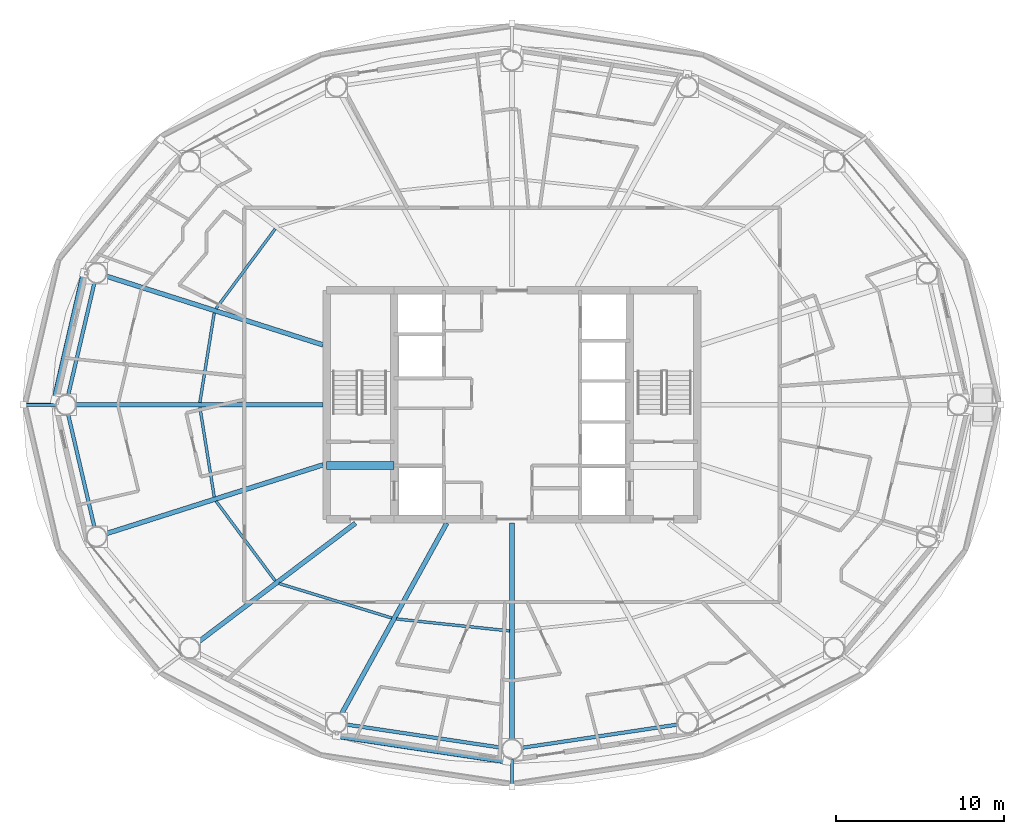
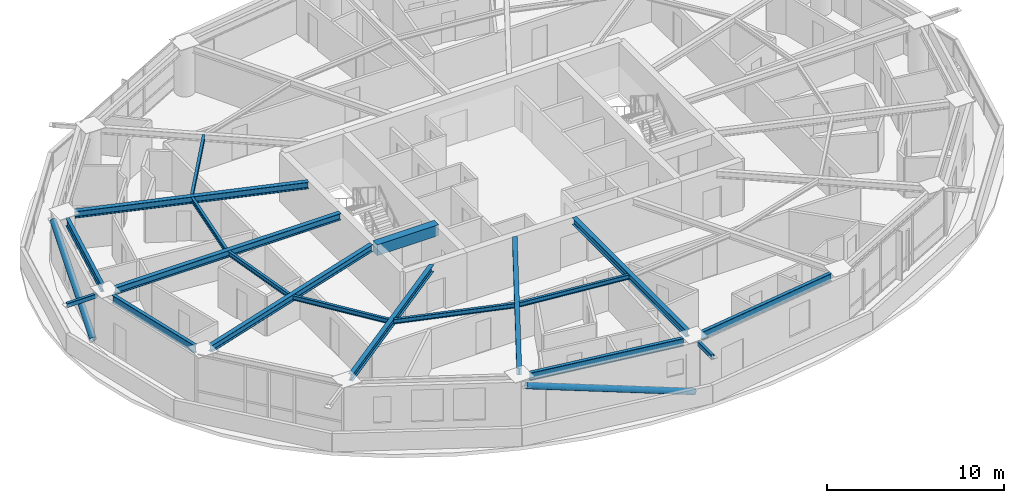
# One storey, part 4 of 27: 17 beams, 4 members.
"""IFC4 building model written with IfcOpenShell, lengths in metres."""

from ifc_helpers import new_model, si_unit, direction, frame, origin, origin_2d, place, context, subcontext, project, spatial, rectangle, hollow_rectangle, hollow_circle, i_section, extrude, material, material_profile, profile_set, type_object, element, save


model = new_model("IFC4")

# Units and contexts
model_context = context("Model", 3, precision=1e-05, world=origin(), true_north=direction((0.0, 1.0)))
body_context = subcontext(model_context, "Body", "Model", "MODEL_VIEW")
ifc_project = project(units=[si_unit("LENGTHUNIT", "METRE"), si_unit("AREAUNIT", "SQUARE_METRE"), si_unit("VOLUMEUNIT", "CUBIC_METRE"), si_unit("PLANEANGLEUNIT", "RADIAN"), si_unit("MASSUNIT", "GRAM", prefix="KILO")], contexts=[model_context])

# Site, building, storey
site_placement = place(None, origin())
site = spatial("IfcSite", under=ifc_project, at=site_placement, CompositionType="ELEMENT")
building_placement = place(site_placement, origin())
building = spatial("IfcBuilding", under=site, at=building_placement, Name="Sarneth Arch Tower", CompositionType="ELEMENT")
storey_placement = place(building_placement, frame((0.0, 0.0, 150.60009765625)))
storey = spatial("IfcBuildingStorey", under=building, at=storey_placement, Name="L37", CompositionType="ELEMENT", Elevation=150.60009765625)

# Beams
ifc_material_1 = material(Name="Steel S355", Category="steel")
ifc_material_profile_1 = material_profile(ifc_material_1, i_section(OverallWidth=0.1669921875, OverallDepth=0.31689453125, WebThickness=0.007568359375, FlangeThickness=0.01318359375, FilletRadius=0.012939453125, at=origin_2d()), Name="W310x52")
ifc_profile_set_1 = profile_set([ifc_material_profile_1], Name="Steel S355")
beam_type_1 = type_object("IfcBeamType", Name="BM-JOIST-310B", PredefinedType="JOIST", material=ifc_profile_set_1)
beam_1_placement = place(storey_placement, frame((33.941162109375, 52.449462890625, 3.221435546875), z_axis=(-0.596190586674, -0.802842938788, 0.0), x_axis=(0.802842938788, -0.596190586674, 0.0)))
element("IfcBeam", 1, at=beam_1_placement, inside=storey, type_object=beam_type_1, Name="L37 Secondary floor joist 07", PredefinedType="JOIST", context=body_context, shape_type="SweptSolid", body=[
    extrude(i_section(OverallWidth=0.1669921875, OverallDepth=0.31689453125, WebThickness=0.007568359375, FlangeThickness=0.01318359375, FilletRadius=0.012939453125, at=origin_2d()), origin(), (0.0, 0.0, 1.0), 5.896484375),
])
for number, where, z_axis, x_axis, name in (
    (2, (30.3203125, 47.46484375, 3.221435546875), (-0.158348792374, -0.987383238643, 0.0), (0.987383238643, -0.158348792374, 0.0), "L37 Secondary floor joist 08"),
    (3, (29.466064453125, 41.86181640625, 3.221435546875), (0.158348792374, -0.987383238643, 0.0), (0.987383238643, 0.158348792374, 0.0), "L37 Secondary floor joist 09"),
):
    element("IfcBeam", number, at=place(storey_placement, frame(where, z_axis=z_axis, x_axis=x_axis)), inside=storey, type_object=beam_type_1, Name=name, PredefinedType="JOIST", context=body_context, shape_type="SweptSolid", body=[
        extrude(i_section(OverallWidth=0.1669921875, OverallDepth=0.31689453125, WebThickness=0.007568359375, FlangeThickness=0.01318359375, FilletRadius=0.012939453125, at=origin_2d()), origin(), (0.0, 0.0, 1.0), 5.394775390625),
    ])
beam_2_placement = place(storey_placement, frame((30.42578125, 36.284423828125, 3.221435546875), z_axis=(0.596190586674, -0.802842938788, 0.0), x_axis=(0.802842938788, 0.596190586674, 0.0)))
element("IfcBeam", 4, at=beam_2_placement, inside=storey, type_object=beam_type_1, Name="L37 Secondary floor joist 10", PredefinedType="JOIST", context=body_context, shape_type="SweptSolid", body=[
    extrude(i_section(OverallWidth=0.1669921875, OverallDepth=0.31689453125, WebThickness=0.007568359375, FlangeThickness=0.01318359375, FilletRadius=0.012939453125, at=origin_2d()), origin(), (0.0, 0.0, 1.0), 5.896484375),
])
beam_3_placement = place(storey_placement, frame((34.15869140625, 31.397216796875, 3.221435546875), z_axis=(0.956178669891, -0.292783796076, 0.0), x_axis=(0.292783796076, 0.956178669891, 0.0)))
element("IfcBeam", 5, at=beam_3_placement, inside=storey, type_object=beam_type_1, Name="L37 Secondary floor joist 11", PredefinedType="JOIST", context=body_context, shape_type="SweptSolid", body=[
    extrude(i_section(OverallWidth=0.1669921875, OverallDepth=0.31689453125, WebThickness=0.007568359375, FlangeThickness=0.01318359375, FilletRadius=0.012939453125, at=origin_2d()), origin(), (0.0, 0.0, 1.0), 7.010986328125),
])
beam_4_placement = place(storey_placement, frame((41.1357421875, 29.288818359375, 3.221435546875), z_axis=(0.994447340543, -0.105235387994, 0.0), x_axis=(0.105235387994, 0.994447340543, 0.0)))
element("IfcBeam", 6, at=beam_4_placement, inside=storey, type_object=beam_type_1, Name="L37 Secondary floor joist 12", PredefinedType="JOIST", context=body_context, shape_type="SweptSolid", body=[
    extrude(i_section(OverallWidth=0.1669921875, OverallDepth=0.31689453125, WebThickness=0.007568359375, FlangeThickness=0.01318359375, FilletRadius=0.012939453125, at=origin_2d()), origin(), (0.0, 0.0, 1.0), 6.7626953125),
])
ifc_material_2 = material(Name="Concrete C50/60", Category="concrete")
ifc_material_profile_2 = material_profile(ifc_material_2, rectangle(XDim=0.5, YDim=0.75, at=origin_2d()), Name="RC-500x750")
ifc_profile_set_2 = profile_set([ifc_material_profile_2], Name="Concrete C50/60")
beam_type_2 = type_object("IfcBeamType", Name="BM-LINTEL-RC", PredefinedType="LINTEL", material=ifc_profile_set_2)
beam_5_placement = place(storey_placement, frame((37.0, 38.39990234375, 3.0048828125), z_axis=(1.0, 0.0, 0.0), x_axis=(0.0, 1.0, 0.0)))
element("IfcBeam", 7, at=beam_5_placement, inside=storey, type_object=beam_type_2, Name="L37 Core coupling lintel W", PredefinedType="LINTEL", context=body_context, shape_type="SweptSolid", body=[
    extrude(rectangle(XDim=0.5, YDim=0.75, at=origin_2d()), origin(), (0.0, 0.0, 1.0), 4.0),
])
ifc_material_3 = material(Name="Steel S355", Category="steel")
ifc_material_profile_3 = material_profile(ifc_material_3, i_section(OverallWidth=0.280029296875, OverallDepth=0.462890625, WebThickness=0.0107421875, FlangeThickness=0.017333984375, FilletRadius=0.01806640625, at=origin_2d()), Name="W460x113")
ifc_profile_set_3 = profile_set([ifc_material_profile_3], Name="Steel S355")
beam_type_3 = type_object("IfcBeamType", Name="BM-RAD-460A", PredefinedType="BEAM", material=ifc_profile_set_3)
beam_6_placement = place(storey_placement, frame((36.77490234375, 45.56201171875, 3.1484375), z_axis=(-0.95316541071, 0.30244949963, 0.0), x_axis=(-0.30244949963, -0.95316541071, 0.0)))
element("IfcBeam", 8, at=beam_6_placement, inside=storey, type_object=beam_type_3, Name="L37 Radial floor girder 08", PredefinedType="BEAM", context=body_context, shape_type="SweptSolid", body=[
    extrude(i_section(OverallWidth=0.280029296875, OverallDepth=0.462890625, WebThickness=0.0107421875, FlangeThickness=0.017333984375, FilletRadius=0.01806640625, at=origin_2d()), origin(), (0.0, 0.0, 1.0), 13.497314453125),
])
beam_7_placement = place(storey_placement, frame((36.77490234375, 42.0, 3.1484375), z_axis=(-1.0, 0.0, 0.0), x_axis=(0.0, -1.0, 0.0)))
element("IfcBeam", 9, at=beam_7_placement, inside=storey, type_object=beam_type_3, Name="L37 Radial floor girder 09", PredefinedType="BEAM", context=body_context, shape_type="SweptSolid", body=[
    extrude(i_section(OverallWidth=0.280029296875, OverallDepth=0.462890625, WebThickness=0.0107421875, FlangeThickness=0.017333984375, FilletRadius=0.01806640625, at=origin_2d()), origin(), (0.0, 0.0, 1.0), 14.661865234375),
])
beam_8_placement = place(storey_placement, frame((36.77490234375, 38.43798828125, 3.1484375), z_axis=(-0.95316541071, -0.30244949963, 0.0), x_axis=(0.30244949963, -0.95316541071, 0.0)))
element("IfcBeam", 10, at=beam_8_placement, inside=storey, type_object=beam_type_3, Name="L37 Radial floor girder 10", PredefinedType="BEAM", context=body_context, shape_type="SweptSolid", body=[
    extrude(i_section(OverallWidth=0.280029296875, OverallDepth=0.462890625, WebThickness=0.0107421875, FlangeThickness=0.017333984375, FilletRadius=0.01806640625, at=origin_2d()), origin(), (0.0, 0.0, 1.0), 13.497314453125),
])
beam_9_placement = place(storey_placement, frame((38.70458984375, 34.97509765625, 3.1484375), z_axis=(-0.797784574467, -0.602942594898, 0.0), x_axis=(0.602942594898, -0.797784574467, 0.0)))
element("IfcBeam", 11, at=beam_9_placement, inside=storey, type_object=beam_type_3, Name="L37 Radial floor girder 11", PredefinedType="BEAM", context=body_context, shape_type="SweptSolid", body=[
    extrude(i_section(OverallWidth=0.280029296875, OverallDepth=0.462890625, WebThickness=0.0107421875, FlangeThickness=0.017333984375, FilletRadius=0.01806640625, at=origin_2d()), origin(), (0.0, 0.0, 1.0), 11.73193359375),
])
beam_10_placement = place(storey_placement, frame((44.125, 34.97509765625, 3.1484375), z_axis=(-0.483010082599, -0.875614789795, 0.0), x_axis=(0.875614789795, -0.483010082599, 0.0)))
element("IfcBeam", 12, at=beam_10_placement, inside=storey, type_object=beam_type_3, Name="L37 Radial floor girder 12", PredefinedType="BEAM", context=body_context, shape_type="SweptSolid", body=[
    extrude(i_section(OverallWidth=0.280029296875, OverallDepth=0.462890625, WebThickness=0.0107421875, FlangeThickness=0.017333984375, FilletRadius=0.01806640625, at=origin_2d()), origin(), (0.0, 0.0, 1.0), 12.954345703125),
])
beam_11_placement = place(storey_placement, frame((48.0, 34.97509765625, 3.1484375), z_axis=(0.0, -1.0, 0.0), x_axis=(1.0, 0.0, 0.0)))
element("IfcBeam", 13, at=beam_11_placement, inside=storey, type_object=beam_type_3, Name="L37 Radial floor girder 13", PredefinedType="BEAM", context=body_context, shape_type="SweptSolid", body=[
    extrude(i_section(OverallWidth=0.280029296875, OverallDepth=0.462890625, WebThickness=0.0107421875, FlangeThickness=0.017333984375, FilletRadius=0.01806640625, at=origin_2d()), origin(), (0.0, 0.0, 1.0), 12.8251953125),
])
ifc_material_4 = material(Name="Steel S355", Category="steel")
ifc_material_profile_4 = material_profile(ifc_material_4, i_section(OverallWidth=0.214111328125, OverallDepth=0.549072265625, WebThickness=0.0146484375, FlangeThickness=0.023681640625, FilletRadius=0.01806640625, at=origin_2d()), Name="W530x138")
ifc_profile_set_4 = profile_set([ifc_material_profile_4], Name="Steel S355")
beam_type_4 = type_object("IfcBeamType", Name="BM-RAD-530A", PredefinedType="BEAM", material=ifc_profile_set_4)
for number, where, z_axis, x_axis, name in (
    (14, (23.20166015625, 49.241455078125, 3.10546875), (-0.227109937572, -0.973869126863, 0.0), (0.973869126863, -0.227109937572, 0.0), "L37 Perimeter spandrel beam 08"),
    (15, (21.649169921875, 41.415771484375, 3.10546875), (0.227109937572, -0.973869126863, 0.0), (0.973869126863, 0.227109937572, 0.0), "L37 Perimeter spandrel beam 09"),
):
    element("IfcBeam", number, at=place(storey_placement, frame(where, z_axis=z_axis, x_axis=x_axis)), inside=storey, type_object=beam_type_4, Name=name, PredefinedType="BEAM", context=body_context, shape_type="SweptSolid", body=[
        extrude(i_section(OverallWidth=0.214111328125, OverallDepth=0.549072265625, WebThickness=0.0146484375, FlangeThickness=0.023681640625, FilletRadius=0.01806640625, at=origin_2d()), origin(), (0.0, 0.0, 1.0), 6.8359375),
    ])
for number, where, z_axis, x_axis, name in (
    (16, (38.171630859375, 23.01806640625, 3.10546875), (0.98902783755, -0.147729267756, 0.0), (0.147729267756, 0.98902783755, 0.0), "L37 Perimeter spandrel beam 12"),
    (17, (48.593505859375, 21.638671875, 3.10546875), (0.98902783755, 0.147729267756, 0.0), (-0.147729267756, 0.98902783755, 0.0), "L37 Perimeter spandrel beam 13"),
):
    element("IfcBeam", number, at=place(storey_placement, frame(where, z_axis=z_axis, x_axis=x_axis)), inside=storey, type_object=beam_type_4, Name=name, PredefinedType="BEAM", context=body_context, shape_type="SweptSolid", body=[
        extrude(i_section(OverallWidth=0.214111328125, OverallDepth=0.549072265625, WebThickness=0.0146484375, FlangeThickness=0.023681640625, FilletRadius=0.01806640625, at=origin_2d()), origin(), (0.0, 0.0, 1.0), 9.33740234375),
    ])

# Members
ifc_material_5 = material(Name="Steel S355", Category="steel")
ifc_material_profile_5 = material_profile(ifc_material_5, hollow_rectangle(XDim=0.199951171875, YDim=0.300048828125, WallThickness=0.012451171875, InnerFilletRadius=0.018798828125, OuterFilletRadius=0.03125, at=origin_2d()), Name="RHS300x200x12.5")
ifc_profile_set_5 = profile_set([ifc_material_profile_5], Name="Steel S355")
member_type_1 = type_object("IfcMemberType", Name="MEM-CANT-STRUT", PredefinedType="STRUT", material=ifc_profile_set_5)
member_1_placement = place(storey_placement, frame((20.9130859375, 42.0, 3.219970703125), z_axis=(-1.0, 0.0, 0.0), x_axis=(0.0, -1.0, 0.0)))
element("IfcMember", 18, at=member_1_placement, inside=storey, type_object=member_type_1, Name="L37 Balcony cantilever bracket 09", PredefinedType="STRUT", context=body_context, shape_type="SweptSolid", body=[
    extrude(hollow_rectangle(XDim=0.199951171875, YDim=0.300048828125, WallThickness=0.012451171875, InnerFilletRadius=0.018798828125, OuterFilletRadius=0.03125, at=origin_2d()), origin(), (0.0, 0.0, 1.0), 1.936767578125),
])
member_2_placement = place(storey_placement, frame((48.0, 20.949951171875, 3.219970703125), z_axis=(0.0, -1.0, 0.0), x_axis=(1.0, 0.0, 0.0)))
element("IfcMember", 19, at=member_2_placement, inside=storey, type_object=member_type_1, Name="L37 Balcony cantilever bracket 13", PredefinedType="STRUT", context=body_context, shape_type="SweptSolid", body=[
    extrude(hollow_rectangle(XDim=0.199951171875, YDim=0.300048828125, WallThickness=0.012451171875, InnerFilletRadius=0.018798828125, OuterFilletRadius=0.03125, at=origin_2d()), origin(), (0.0, 0.0, 1.0), 1.61328125),
])
ifc_material_6 = material(Name="Steel S355", Category="steel")
ifc_material_profile_6 = material_profile(ifc_material_6, hollow_circle(Radius=0.202880859375, WallThickness=0.01611328125, at=origin_2d()), Name="CHS406x16")
ifc_profile_set_6 = profile_set([ifc_material_profile_6], Name="Steel S355")
member_type_2 = type_object("IfcMemberType", Name="MEM-DIAG-BR2", PredefinedType="BRACE", material=ifc_profile_set_6)
member_3_placement = place(storey_placement, frame((20.87109375, 42.292236328125, 0.02001953125), z_axis=(0.209646277215, 0.90691666474, 0.365445757488), x_axis=(-0.974306903917, 0.225224459107, 0.0)))
element("IfcMember", 20, at=member_3_placement, inside=storey, type_object=member_type_2, Name="L37 Perimeter frame diagonal 08", PredefinedType="BRACE", context=body_context, shape_type="SweptSolid", body=[
    extrude(hollow_circle(Radius=0.202880859375, WallThickness=0.01611328125, at=origin_2d()), origin(), (0.0, 0.0, 1.0), 8.292724609375),
])
member_4_placement = place(storey_placement, frame((47.703369140625, 20.86474609375, 0.02001953125), z_axis=(-0.948052912183, 0.142822782379, 0.284248708942), x_axis=(-0.148967610144, -0.988842075929, 0.0)))
element("IfcMember", 21, at=member_4_placement, inside=storey, type_object=member_type_2, Name="L37 Perimeter frame diagonal 12", PredefinedType="BRACE", context=body_context, shape_type="SweptSolid", body=[
    extrude(hollow_circle(Radius=0.202880859375, WallThickness=0.01611328125, at=origin_2d()), origin(), (0.0, 0.0, 1.0), 10.66162109375),
])

save(model, "model.ifc")
